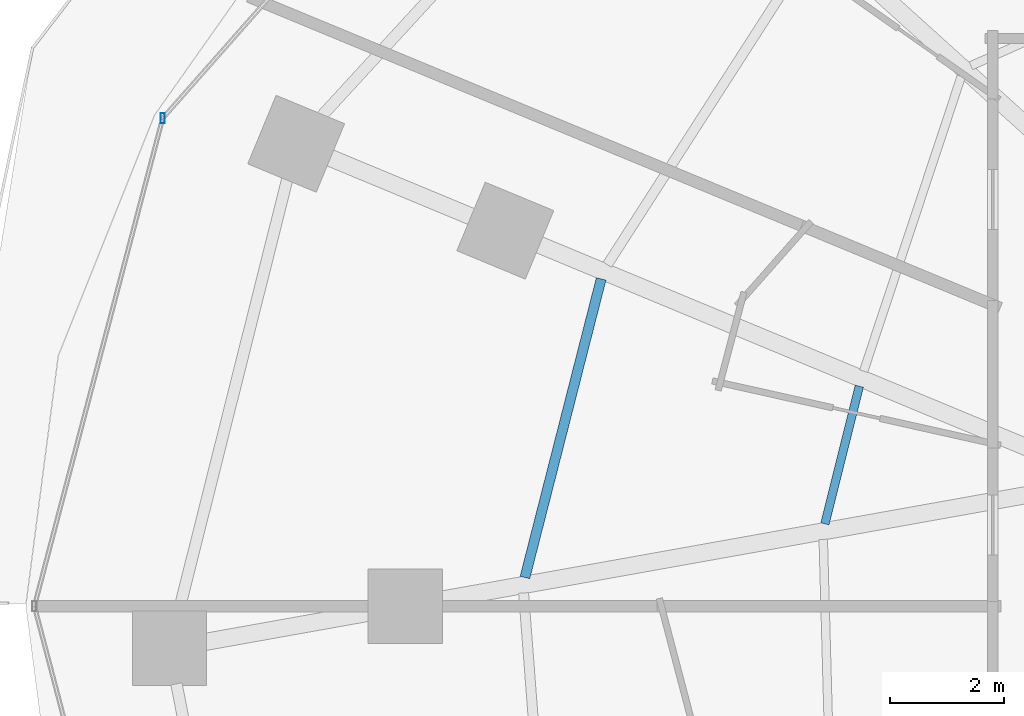
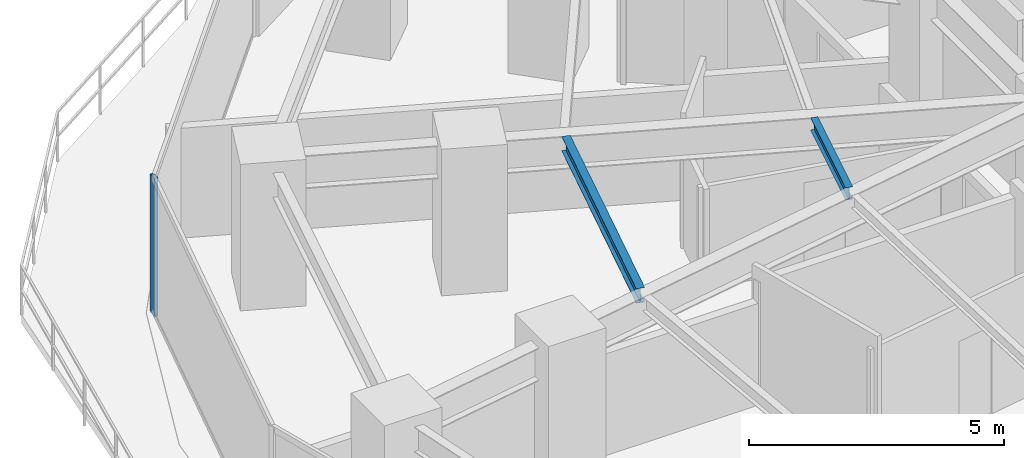
# One storey, part 10 of 34: 2 beams, 1 member, 1 element without a shape of its own.
"""IFC4 building model written with IfcOpenShell, lengths in metres."""

from ifc_helpers import new_model, si_unit, direction, frame, origin, origin_2d, place, context, subcontext, project, spatial, hollow_rectangle, i_section, extrude, material, material_profile, profile_set, type_object, element, aggregate, save


model = new_model("IFC4")

# Units and contexts
model_context = context("Model", 3, precision=1e-05, world=origin(), true_north=direction((0.0, 1.0)))
body_context = subcontext(model_context, "Body", "Model", "MODEL_VIEW")
ifc_project = project(units=[si_unit("LENGTHUNIT", "METRE"), si_unit("AREAUNIT", "SQUARE_METRE"), si_unit("VOLUMEUNIT", "CUBIC_METRE"), si_unit("PLANEANGLEUNIT", "RADIAN"), si_unit("MASSUNIT", "GRAM", prefix="KILO")], contexts=[model_context])

# Site, building, storey
site_placement = place(None, origin())
site = spatial("IfcSite", under=ifc_project, at=site_placement, CompositionType="ELEMENT")
building_placement = place(site_placement, origin())
building = spatial("IfcBuilding", under=site, at=building_placement, Name="Vorneva Point Tower", CompositionType="ELEMENT")
storey_placement = place(building_placement, frame((0.0, 0.0, 27.5)))
storey = spatial("IfcBuildingStorey", under=building, at=storey_placement, Name="L06", CompositionType="ELEMENT", Elevation=27.5)

# Beams
ifc_material_1 = material(Name="Steel S355", Category="steel")
ifc_material_profile_1 = material_profile(ifc_material_1, i_section(OverallWidth=0.14892578125, OverallDepth=0.298095703125, WebThickness=0.005615234375, FlangeThickness=0.008056640625, at=origin_2d()), Name="30B1")
ifc_profile_set_1 = profile_set([ifc_material_profile_1], Name="Steel S355")
beam_type_1 = type_object("IfcBeamType", Name="BM-JST-30B1", PredefinedType="JOIST", material=ifc_profile_set_1)
beam_1_placement = place(storey_placement, frame((22.910400390625, 29.855712890625, 3.091064453125), z_axis=(-0.242373869631, -0.970182924669, 0.0), x_axis=(0.970182924669, -0.242373869631, 0.0)))
element("IfcBeam", 1, at=beam_1_placement, inside=storey, type_object=beam_type_1, Name="L06 Secondary Floor Beam 2.08", PredefinedType="JOIST", context=body_context, shape_type="SweptSolid", body=[
    extrude(i_section(OverallWidth=0.14892578125, OverallDepth=0.298095703125, WebThickness=0.005615234375, FlangeThickness=0.008056640625, at=origin_2d()), origin(), (0.0, 0.0, 1.0), 2.486083984375),
])
ifc_material_profile_2 = material_profile(ifc_material_1, i_section(OverallWidth=0.174072265625, OverallDepth=0.345947265625, WebThickness=0.006103515625, FlangeThickness=0.009033203125, at=origin_2d()), Name="35B1")
ifc_profile_set_2 = profile_set([ifc_material_profile_2], Name="Steel S355")
beam_type_2 = type_object("IfcBeamType", Name="BM-SEC-35B1", PredefinedType="BEAM", material=ifc_profile_set_2)
beam_2_placement = place(storey_placement, frame((18.385009765625, 31.736083984375, 3.06689453125), z_axis=(-0.247350740472, -0.96892600914, 0.0), x_axis=(0.96892600914, -0.247350740472, 0.0)))
element("IfcBeam", 2, at=beam_2_placement, inside=storey, type_object=beam_type_2, Name="L06 Secondary Floor Beam 1.08", PredefinedType="BEAM", context=body_context, shape_type="SweptSolid", body=[
    extrude(i_section(OverallWidth=0.174072265625, OverallDepth=0.345947265625, WebThickness=0.006103515625, FlangeThickness=0.009033203125, at=origin_2d()), origin(), (0.0, 0.0, 1.0), 5.40087890625),
])

# Curtain wall, member
ifc_material_2 = material(Name="Pale anodised aluminium", Category="aluminium")
curtain_wall_type = type_object("IfcCurtainWallType", Name="CW-HTL-SYS", PredefinedType="NOTDEFINED", material=ifc_material_2)
curtain_wall_placement = place(storey_placement, origin())
curtain_wall = element("IfcCurtainWall", 3, at=curtain_wall_placement, inside=storey, type_object=curtain_wall_type, Name="L06 Unitised Curtain Wall CW-L06-R03", PredefinedType="NOTDEFINED")
ifc_material_profile_3 = material_profile(ifc_material_2, hollow_rectangle(XDim=0.074951171875, YDim=0.179931640625, WallThickness=0.00390625, at=origin_2d()), Name="AL-MUL 180x75x4")
ifc_profile_set_3 = profile_set([ifc_material_profile_3], Name="Pale anodised aluminium")
member_type = type_object("IfcMemberType", Name="CW-MUL-180", PredefinedType="MULLION", material=ifc_profile_set_3)
member_placement = place(storey_placement, frame((10.699462890625, 34.552978515625, -0.0400390625), z_axis=(0.0, 0.0, 1.0), x_axis=(1.0, 0.0, 0.0)))
member = element("IfcMember", 4, at=member_placement, type_object=member_type, Name="CW-L06-R03 Mullion 02", PredefinedType="MULLION", context=body_context, shape_type="SweptSolid", body=[
    extrude(hollow_rectangle(XDim=0.074951171875, YDim=0.179931640625, WallThickness=0.00390625, at=origin_2d()), origin(), (0.0, 0.0, 1.0), 3.31005859375),
])
aggregate(curtain_wall, [member])

save(model, "model.ifc")
